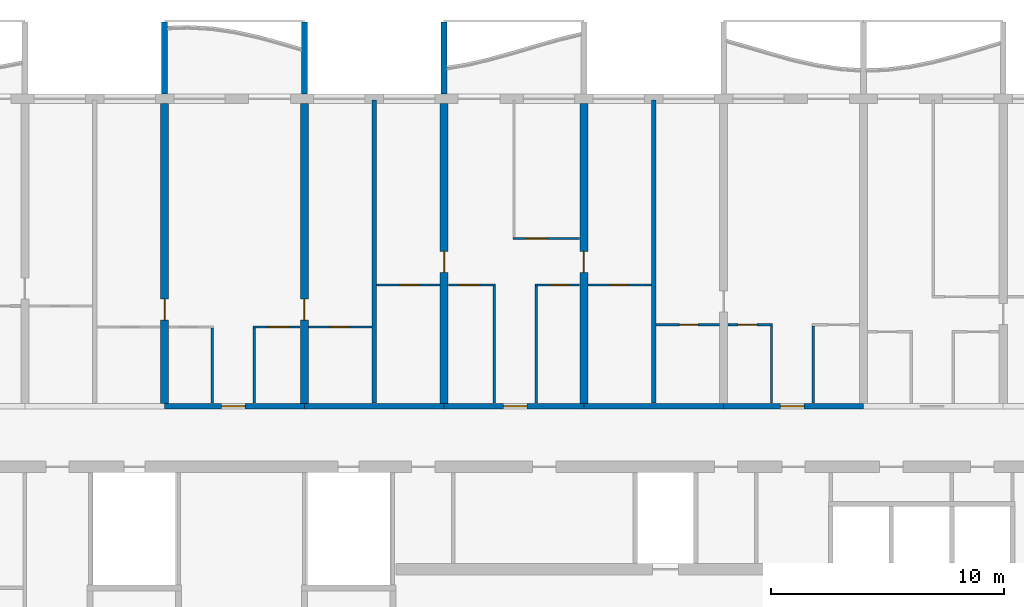
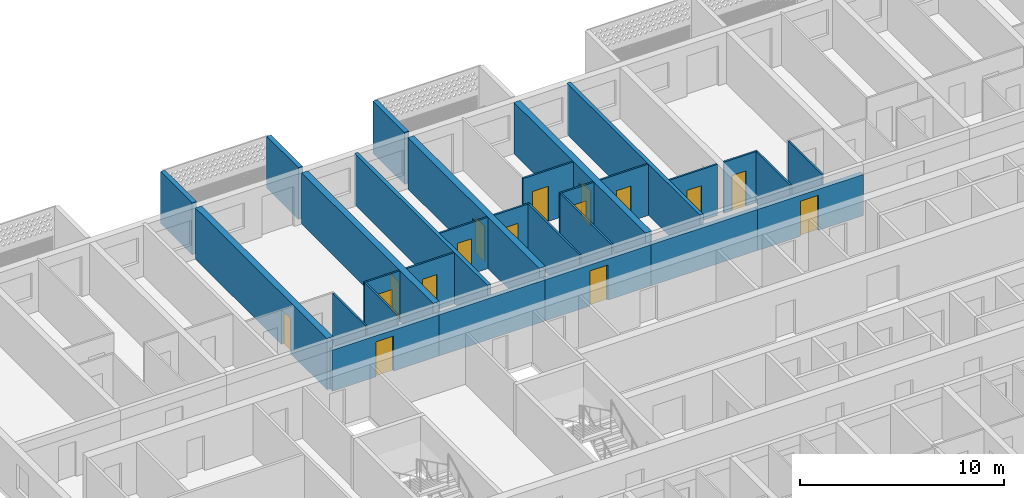
# One storey, part 10 of 26: 29 walls, 16 doors, 16 openings.
"""IFC4 building model written with IfcOpenShell, lengths in metres."""

from ifc_helpers import new_model, si_unit, direction, frame, frame_2d, origin, place, context, subcontext, project, spatial, polyline, rectangle, outline, extrude, source, transform, mapped, material, layer, layer_set, type_object, element, fill, save


model = new_model("IFC4")

# Units and contexts
model_context = context("Model", 3, precision=1e-05, world=origin(), true_north=direction((0.0, 1.0)))
body_context = subcontext(model_context, "Body", "Model", "MODEL_VIEW")
ifc_project = project(units=[si_unit("LENGTHUNIT", "METRE"), si_unit("AREAUNIT", "SQUARE_METRE"), si_unit("VOLUMEUNIT", "CUBIC_METRE"), si_unit("PLANEANGLEUNIT", "RADIAN"), si_unit("MASSUNIT", "GRAM", prefix="KILO")], contexts=[model_context])

# Site, building, storey
site_placement = place(None, origin())
site = spatial("IfcSite", under=ifc_project, at=site_placement, CompositionType="ELEMENT")
building_placement = place(site_placement, origin())
building = spatial("IfcBuilding", under=site, at=building_placement, Name="Poui Terraces", CompositionType="ELEMENT")
storey_placement = place(building_placement, frame((0.0, 0.0, 96.0)))
storey = spatial("IfcBuildingStorey", under=building, at=storey_placement, Name="L26", CompositionType="ELEMENT", Elevation=96.0)

# Wall, opening, door
ifc_material_1 = material(Name="Concrete 65 MPa", Category="concrete")
ifc_layer_1 = layer(ifc_material_1, 0.25)
ifc_layer_set_1 = layer_set([ifc_layer_1], Name="Concrete 65 MPa")
wall_type_1 = type_object("IfcWallType", Name="CORRIDOR WALL 250 65MPa", PredefinedType="SHEAR", material=ifc_layer_set_1)
wall_1_placement = place(storey_placement, frame((24.0, 30.39990234375, 0.0), z_axis=(0.0, 0.0, 1.0), x_axis=(1.0, 0.0, 0.0)))
wall_1 = element("IfcWall", 1, at=wall_1_placement, inside=storey, type_object=wall_type_1, Name="CORRIDOR WALL LINE E BAY 4", PredefinedType="SHEAR", context=body_context, shape_type="SweptSolid", body=[
    extrude(rectangle(XDim=6.0, YDim=0.25, at=frame_2d((3.0, 0.0))), origin(), (0.0, 0.0, 1.0), 2.4599609375),
])
opening_1_placement = place(wall_1_placement, frame((2.449951171875, 0.0, 0.0)))
opening_1 = element("IfcOpeningElement", 2, at=opening_1_placement, cuts=wall_1, Name="Opening FD30S", PredefinedType="OPENING", context=body_context, shape_type="SweptSolid", body=[
    extrude(rectangle(XDim=1.0, YDim=2.10009765625, at=frame_2d((0.5, 1.050048828125))), frame((0.0, 0.135009765625, 0.0), z_axis=(0.0, -1.0, 0.0), x_axis=(1.0, 0.0, 0.0)), (0.0, 0.0, 1.0), 0.27001953125),
])
ifc_material_2 = material(Name="Steel fire door", Category="steel")
door_type_1 = type_object("IfcDoorType", Name="FLAT ENTRANCE DOOR 1000 X 2100", OperationType="NOTDEFINED", PredefinedType="DOOR", material=ifc_material_2)
door_1_placement = place(opening_1_placement, origin())
door_1 = element("IfcDoor", 3, at=door_1_placement, inside=storey, type_object=door_type_1, Name="FLAT ENTRANCE DOOR 042", OperationType="SINGLE_SWING_LEFT", OverallHeight=2.10009765625, OverallWidth=1.0, PredefinedType="DOOR", context=body_context, shape_type="SweptSolid", body=[
    extrude(rectangle(XDim=1.0, YDim=2.10009765625, at=frame_2d((0.5, 1.050048828125))), frame((0.0, 0.02490234375, 0.0), z_axis=(0.0, -1.0, 0.0), x_axis=(1.0, 0.0, 0.0)), (0.0, 0.0, 1.0), 0.050048828125),
])
fill(opening_1, door_1)

# Wall
wall_2_placement = place(storey_placement, frame((30.0, 30.39990234375, 0.0), z_axis=(0.0, 0.0, 1.0), x_axis=(1.0, 0.0, 0.0)))
element("IfcWall", 4, at=wall_2_placement, inside=storey, type_object=wall_type_1, Name="CORRIDOR WALL LINE E BAY 5", PredefinedType="SHEAR", context=body_context, shape_type="SweptSolid", body=[
    extrude(rectangle(XDim=6.0, YDim=0.25, at=frame_2d((3.0, 0.0))), origin(), (0.0, 0.0, 1.0), 2.4599609375),
])

# Wall, opening, door
wall_3_placement = place(storey_placement, frame((36.0, 30.39990234375, 0.0), z_axis=(0.0, 0.0, 1.0), x_axis=(1.0, 0.0, 0.0)))
wall_3 = element("IfcWall", 5, at=wall_3_placement, inside=storey, type_object=wall_type_1, Name="CORRIDOR WALL LINE E BAY 6", PredefinedType="SHEAR", context=body_context, shape_type="SweptSolid", body=[
    extrude(rectangle(XDim=6.0, YDim=0.25, at=frame_2d((3.0, 0.0))), origin(), (0.0, 0.0, 1.0), 2.4599609375),
])
opening_2_placement = place(wall_3_placement, frame((2.550048828125, 0.0, 0.0)))
opening_2 = element("IfcOpeningElement", 6, at=opening_2_placement, cuts=wall_3, Name="Opening FD30S", PredefinedType="OPENING", context=body_context, shape_type="SweptSolid", body=[
    extrude(rectangle(XDim=1.0, YDim=2.10009765625, at=frame_2d((0.5, 1.050048828125))), frame((0.0, 0.135009765625, 0.0), z_axis=(0.0, -1.0, 0.0), x_axis=(1.0, 0.0, 0.0)), (0.0, 0.0, 1.0), 0.27001953125),
])
door_2_placement = place(opening_2_placement, origin())
door_2 = element("IfcDoor", 7, at=door_2_placement, inside=storey, type_object=door_type_1, Name="FLAT ENTRANCE DOOR 049", OperationType="SINGLE_SWING_RIGHT", OverallHeight=2.10009765625, OverallWidth=1.0, PredefinedType="DOOR", context=body_context, shape_type="SweptSolid", body=[
    extrude(rectangle(XDim=1.0, YDim=2.10009765625, at=frame_2d((0.5, 1.050048828125))), frame((0.0, 0.02490234375, 0.0), z_axis=(0.0, -1.0, 0.0), x_axis=(1.0, 0.0, 0.0)), (0.0, 0.0, 1.0), 0.050048828125),
])
fill(opening_2, door_2)

# Wall
wall_4_placement = place(storey_placement, frame((42.0, 30.39990234375, 0.0), z_axis=(0.0, 0.0, 1.0), x_axis=(1.0, 0.0, 0.0)))
element("IfcWall", 8, at=wall_4_placement, inside=storey, type_object=wall_type_1, Name="CORRIDOR WALL LINE E BAY 7", PredefinedType="SHEAR", context=body_context, shape_type="SweptSolid", body=[
    extrude(rectangle(XDim=6.0, YDim=0.25, at=frame_2d((3.0, 0.0))), origin(), (0.0, 0.0, 1.0), 2.4599609375),
])

# Wall, opening, door
wall_5_placement = place(storey_placement, frame((48.0, 30.39990234375, 0.0), z_axis=(0.0, 0.0, 1.0), x_axis=(1.0, 0.0, 0.0)))
wall_5 = element("IfcWall", 9, at=wall_5_placement, inside=storey, type_object=wall_type_1, Name="CORRIDOR WALL LINE E BAY 8", PredefinedType="SHEAR", context=body_context, shape_type="SweptSolid", body=[
    extrude(rectangle(XDim=6.0, YDim=0.25, at=frame_2d((3.0, 0.0))), origin(), (0.0, 0.0, 1.0), 2.4599609375),
])
opening_3_placement = place(wall_5_placement, frame((2.449951171875, 0.0, 0.0)))
opening_3 = element("IfcOpeningElement", 10, at=opening_3_placement, cuts=wall_5, Name="Opening FD30S", PredefinedType="OPENING", context=body_context, shape_type="SweptSolid", body=[
    extrude(rectangle(XDim=1.0, YDim=2.10009765625, at=frame_2d((0.5, 1.050048828125))), frame((0.0, 0.135009765625, 0.0), z_axis=(0.0, -1.0, 0.0), x_axis=(1.0, 0.0, 0.0)), (0.0, 0.0, 1.0), 0.27001953125),
])
door_3_placement = place(opening_3_placement, origin())
door_3 = element("IfcDoor", 11, at=door_3_placement, inside=storey, type_object=door_type_1, Name="FLAT ENTRANCE DOOR 056", OperationType="SINGLE_SWING_LEFT", OverallHeight=2.10009765625, OverallWidth=1.0, PredefinedType="DOOR", context=body_context, shape_type="SweptSolid", body=[
    extrude(rectangle(XDim=1.0, YDim=2.10009765625, at=frame_2d((0.5, 1.050048828125))), frame((0.0, 0.02490234375, 0.0), z_axis=(0.0, -1.0, 0.0), x_axis=(1.0, 0.0, 0.0)), (0.0, 0.0, 1.0), 0.050048828125),
])
fill(opening_3, door_3)

ifc_layer_2 = layer(ifc_material_1, 0.35009765625)
ifc_layer_set_2 = layer_set([ifc_layer_2], Name="Concrete 65 MPa")
wall_type_2 = type_object("IfcWallType", Name="CROSS WALL 350 65MPa", PredefinedType="SHEAR", material=ifc_layer_set_2)
wall_6_placement = place(storey_placement, frame((24.0, 30.52490234375, 0.0), z_axis=(0.0, 0.0, 1.0), x_axis=(0.0, 1.0, 0.0)))
wall_6 = element("IfcWall", 12, at=wall_6_placement, inside=storey, type_object=wall_type_2, Name="CROSS WALL LINE 5 NORTH", PredefinedType="SHEAR", context=body_context, shape_type="SweptSolid", body=[
    extrude(rectangle(XDim=12.875, YDim=0.35009765625, at=frame_2d((6.4375, 0.0))), origin(), (0.0, 0.0, 1.0), 3.06005859375),
])
opening_4_placement = place(wall_6_placement, frame((3.574951171875, 0.0, 0.0)))
opening_4 = element("IfcOpeningElement", 13, at=opening_4_placement, cuts=wall_6, Name="Opening D90", PredefinedType="OPENING", context=body_context, shape_type="SweptSolid", body=[
    extrude(rectangle(XDim=0.89990234375, YDim=2.10009765625, at=frame_2d((0.449951171875, 1.050048828125))), frame((0.0, 0.18505859375, 0.0), z_axis=(0.0, -1.0, 0.0), x_axis=(1.0, 0.0, 0.0)), (0.0, 0.0, 1.0), 0.3701171875),
])
ifc_material_3 = material(Name="Solid core timber door", Category="wood")
door_type_2 = type_object("IfcDoorType", Name="INTERNAL DOOR 900 X 2100", OperationType="NOTDEFINED", PredefinedType="DOOR", material=ifc_material_3)
door_4_placement = place(opening_4_placement, origin())
door_4 = element("IfcDoor", 14, at=door_4_placement, inside=storey, type_object=door_type_2, Name="INTERNAL DOOR 040", OperationType="SINGLE_SWING_LEFT", OverallHeight=2.10009765625, OverallWidth=0.89990234375, PredefinedType="DOOR", context=body_context, shape_type="SweptSolid", body=[
    extrude(rectangle(XDim=0.89990234375, YDim=2.10009765625, at=frame_2d((0.449951171875, 1.050048828125))), frame((0.0, 0.02490234375, 0.0), z_axis=(0.0, -1.0, 0.0), x_axis=(1.0, 0.0, 0.0)), (0.0, 0.0, 1.0), 0.050048828125),
])
fill(opening_4, door_4)

wall_7_placement = place(storey_placement, frame((30.0, 30.52490234375, 0.0), z_axis=(0.0, 0.0, 1.0), x_axis=(0.0, 1.0, 0.0)))
wall_7 = element("IfcWall", 15, at=wall_7_placement, inside=storey, type_object=wall_type_2, Name="CROSS WALL LINE 6 NORTH", PredefinedType="SHEAR", context=body_context, shape_type="SweptSolid", body=[
    extrude(rectangle(XDim=12.875, YDim=0.35009765625, at=frame_2d((6.4375, 0.0))), origin(), (0.0, 0.0, 1.0), 3.06005859375),
])
opening_5_placement = place(wall_7_placement, frame((3.574951171875, 0.0, 0.0)))
opening_5 = element("IfcOpeningElement", 16, at=opening_5_placement, cuts=wall_7, Name="Opening D90", PredefinedType="OPENING", context=body_context, shape_type="SweptSolid", body=[
    extrude(rectangle(XDim=0.89990234375, YDim=2.10009765625, at=frame_2d((0.449951171875, 1.050048828125))), frame((0.0, 0.18505859375, 0.0), z_axis=(0.0, -1.0, 0.0), x_axis=(1.0, 0.0, 0.0)), (0.0, 0.0, 1.0), 0.3701171875),
])
door_5_placement = place(opening_5_placement, frame((0.89990234375, 0.0, 0.0), z_axis=(0.0, 0.0, 1.0), x_axis=(-1.0, 0.0, 0.0)))
door_5 = element("IfcDoor", 17, at=door_5_placement, inside=storey, type_object=door_type_2, Name="INTERNAL DOOR 044", OperationType="SINGLE_SWING_RIGHT", OverallHeight=2.10009765625, OverallWidth=0.89990234375, PredefinedType="DOOR", context=body_context, shape_type="SweptSolid", body=[
    extrude(rectangle(XDim=0.89990234375, YDim=2.10009765625, at=frame_2d((0.449951171875, 1.050048828125))), frame((0.0, 0.02490234375, 0.0), z_axis=(0.0, -1.0, 0.0), x_axis=(1.0, 0.0, 0.0)), (0.0, 0.0, 1.0), 0.050048828125),
])
fill(opening_5, door_5)

wall_8_placement = place(storey_placement, frame((36.0, 30.52490234375, 0.0), z_axis=(0.0, 0.0, 1.0), x_axis=(0.0, 1.0, 0.0)))
wall_8 = element("IfcWall", 18, at=wall_8_placement, inside=storey, type_object=wall_type_2, Name="CROSS WALL LINE 7 NORTH", PredefinedType="SHEAR", context=body_context, shape_type="SweptSolid", body=[
    extrude(rectangle(XDim=12.875, YDim=0.35009765625, at=frame_2d((6.4375, 0.0))), origin(), (0.0, 0.0, 1.0), 3.06005859375),
])
opening_6_placement = place(wall_8_placement, frame((5.625, 0.0, 0.0)))
opening_6 = element("IfcOpeningElement", 19, at=opening_6_placement, cuts=wall_8, Name="Opening D90", PredefinedType="OPENING", context=body_context, shape_type="SweptSolid", body=[
    extrude(rectangle(XDim=0.89990234375, YDim=2.10009765625, at=frame_2d((0.449951171875, 1.050048828125))), frame((0.0, 0.18505859375, 0.0), z_axis=(0.0, -1.0, 0.0), x_axis=(1.0, 0.0, 0.0)), (0.0, 0.0, 1.0), 0.3701171875),
])
door_6_placement = place(opening_6_placement, origin())
door_6 = element("IfcDoor", 20, at=door_6_placement, inside=storey, type_object=door_type_2, Name="INTERNAL DOOR 047", OperationType="SINGLE_SWING_LEFT", OverallHeight=2.10009765625, OverallWidth=0.89990234375, PredefinedType="DOOR", context=body_context, shape_type="SweptSolid", body=[
    extrude(rectangle(XDim=0.89990234375, YDim=2.10009765625, at=frame_2d((0.449951171875, 1.050048828125))), frame((0.0, 0.02490234375, 0.0), z_axis=(0.0, -1.0, 0.0), x_axis=(1.0, 0.0, 0.0)), (0.0, 0.0, 1.0), 0.050048828125),
])
fill(opening_6, door_6)

wall_9_placement = place(storey_placement, frame((42.0, 30.52490234375, 0.0), z_axis=(0.0, 0.0, 1.0), x_axis=(0.0, 1.0, 0.0)))
wall_9 = element("IfcWall", 21, at=wall_9_placement, inside=storey, type_object=wall_type_2, Name="CROSS WALL LINE 8 NORTH", PredefinedType="SHEAR", context=body_context, shape_type="SweptSolid", body=[
    extrude(rectangle(XDim=12.875, YDim=0.35009765625, at=frame_2d((6.4375, 0.0))), origin(), (0.0, 0.0, 1.0), 3.06005859375),
])
opening_7_placement = place(wall_9_placement, frame((5.625, 0.0, 0.0)))
opening_7 = element("IfcOpeningElement", 22, at=opening_7_placement, cuts=wall_9, Name="Opening D90", PredefinedType="OPENING", context=body_context, shape_type="SweptSolid", body=[
    extrude(rectangle(XDim=0.89990234375, YDim=2.10009765625, at=frame_2d((0.449951171875, 1.050048828125))), frame((0.0, 0.18505859375, 0.0), z_axis=(0.0, -1.0, 0.0), x_axis=(1.0, 0.0, 0.0)), (0.0, 0.0, 1.0), 0.3701171875),
])
door_7_placement = place(opening_7_placement, frame((0.89990234375, 0.0, 0.0), z_axis=(0.0, 0.0, 1.0), x_axis=(-1.0, 0.0, 0.0)))
door_7 = element("IfcDoor", 23, at=door_7_placement, inside=storey, type_object=door_type_2, Name="INTERNAL DOOR 052", OperationType="SINGLE_SWING_RIGHT", OverallHeight=2.10009765625, OverallWidth=0.89990234375, PredefinedType="DOOR", context=body_context, shape_type="SweptSolid", body=[
    extrude(rectangle(XDim=0.89990234375, YDim=2.10009765625, at=frame_2d((0.449951171875, 1.050048828125))), frame((0.0, 0.02490234375, 0.0), z_axis=(0.0, -1.0, 0.0), x_axis=(1.0, 0.0, 0.0)), (0.0, 0.0, 1.0), 0.050048828125),
])
fill(opening_7, door_7)

ifc_material_4 = material(Name="Plasterboard partition")
ifc_layer_3 = layer(ifc_material_4, 0.10009765625)
ifc_layer_set_3 = layer_set([ifc_layer_3], Name="Plasterboard partition")
wall_type_3 = type_object("IfcWallType", Name="FLAT PARTITION 100", PredefinedType="PARTITIONING", material=ifc_layer_set_3)
wall_10_placement = place(storey_placement, frame((27.800048828125, 33.800048828125, 0.0), z_axis=(0.0, 0.0, 1.0), x_axis=(1.0, 0.0, 0.0)))
wall_10 = element("IfcWall", 24, at=wall_10_placement, inside=storey, type_object=wall_type_3, Name="FLAT PARTITION 100", PredefinedType="PARTITIONING", context=body_context, shape_type="SweptSolid", body=[
    extrude(rectangle(XDim=2.014892578125, YDim=0.10009765625, at=frame_2d((1.00732421875, 0.0))), origin(), (0.0, 0.0, 1.0), 3.06005859375),
])
opening_8_placement = place(wall_10_placement, frame((0.675048828125, 0.0, 0.0)))
opening_8 = element("IfcOpeningElement", 25, at=opening_8_placement, cuts=wall_10, Name="Opening D90", PredefinedType="OPENING", context=body_context, shape_type="SweptSolid", body=[
    extrude(rectangle(XDim=0.89990234375, YDim=2.10009765625, at=frame_2d((0.449951171875, 1.050048828125))), frame((0.0, 0.06005859375, 0.0), z_axis=(0.0, -1.0, 0.0), x_axis=(1.0, 0.0, 0.0)), (0.0, 0.0, 1.0), 0.1201171875),
])
door_8_placement = place(opening_8_placement, frame((0.89990234375, 0.0, 0.0), z_axis=(0.0, 0.0, 1.0), x_axis=(-1.0, 0.0, 0.0)))
door_8 = element("IfcDoor", 26, at=door_8_placement, inside=storey, type_object=door_type_2, Name="INTERNAL DOOR 043", OperationType="SINGLE_SWING_RIGHT", OverallHeight=2.10009765625, OverallWidth=0.89990234375, PredefinedType="DOOR", context=body_context, shape_type="SweptSolid", body=[
    extrude(rectangle(XDim=0.89990234375, YDim=2.10009765625, at=frame_2d((0.449951171875, 1.050048828125))), frame((0.0, 0.02490234375, 0.0), z_axis=(0.0, -1.0, 0.0), x_axis=(1.0, 0.0, 0.0)), (0.0, 0.0, 1.0), 0.050048828125),
])
fill(opening_8, door_8)

wall_11_placement = place(storey_placement, frame((30.18505859375, 33.800048828125, 0.0), z_axis=(0.0, 0.0, 1.0), x_axis=(1.0, 0.0, 0.0)))
wall_11 = element("IfcWall", 27, at=wall_11_placement, inside=storey, type_object=wall_type_3, Name="FLAT PARTITION 100", PredefinedType="PARTITIONING", context=body_context, shape_type="SweptSolid", body=[
    extrude(rectangle(XDim=2.71484375, YDim=0.10009765625, at=frame_2d((1.357421875, 0.0))), origin(), (0.0, 0.0, 1.0), 3.06005859375),
])
opening_9_placement = place(wall_11_placement, frame((0.9150390625, 0.0, 0.0)))
opening_9 = element("IfcOpeningElement", 28, at=opening_9_placement, cuts=wall_11, Name="Opening D80", PredefinedType="OPENING", context=body_context, shape_type="SweptSolid", body=[
    extrude(rectangle(XDim=0.800048828125, YDim=2.10009765625, at=frame_2d((0.39990234375, 1.050048828125))), frame((0.0, 0.06005859375, 0.0), z_axis=(0.0, -1.0, 0.0), x_axis=(1.0, 0.0, 0.0)), (0.0, 0.0, 1.0), 0.1201171875),
])
door_type_3 = type_object("IfcDoorType", Name="BATHROOM, LAUNDRY AND STORE DOOR 800 X 2100", OperationType="NOTDEFINED", PredefinedType="DOOR", material=ifc_material_3)
door_9_placement = place(opening_9_placement, frame((0.800048828125, 0.0, 0.0), z_axis=(0.0, 0.0, 1.0), x_axis=(-1.0, 0.0, 0.0)))
door_9 = element("IfcDoor", 29, at=door_9_placement, inside=storey, type_object=door_type_3, Name="BATHROOM, LAUNDRY AND STORE DOOR 039", OperationType="SINGLE_SWING_RIGHT", OverallHeight=2.10009765625, OverallWidth=0.800048828125, PredefinedType="DOOR", context=body_context, shape_type="SweptSolid", body=[
    extrude(rectangle(XDim=0.800048828125, YDim=2.10009765625, at=frame_2d((0.39990234375, 1.050048828125))), frame((0.0, 0.02490234375, 0.0), z_axis=(0.0, -1.0, 0.0), x_axis=(1.0, 0.0, 0.0)), (0.0, 0.0, 1.0), 0.050048828125),
])
fill(opening_9, door_9)

wall_12_placement = place(storey_placement, frame((45.10009765625, 33.89990234375, 0.0), z_axis=(0.0, 0.0, 1.0), x_axis=(1.0, 0.0, 0.0)))
wall_12 = element("IfcWall", 30, at=wall_12_placement, inside=storey, type_object=wall_type_3, Name="FLAT PARTITION 100", PredefinedType="PARTITIONING", context=body_context, shape_type="SweptSolid", body=[
    extrude(rectangle(XDim=2.71484375, YDim=0.10009765625, at=frame_2d((1.357421875, 0.0))), origin(), (0.0, 0.0, 1.0), 3.06005859375),
])
opening_10_placement = place(wall_12_placement, frame((1.0, 0.0, 0.0)))
opening_10 = element("IfcOpeningElement", 31, at=opening_10_placement, cuts=wall_12, Name="Opening D80", PredefinedType="OPENING", context=body_context, shape_type="SweptSolid", body=[
    extrude(rectangle(XDim=0.800048828125, YDim=2.10009765625, at=frame_2d((0.39990234375, 1.050048828125))), frame((0.0, 0.06005859375, 0.0), z_axis=(0.0, -1.0, 0.0), x_axis=(1.0, 0.0, 0.0)), (0.0, 0.0, 1.0), 0.1201171875),
])
door_10_placement = place(opening_10_placement, frame((0.800048828125, 0.0, 0.0), z_axis=(0.0, 0.0, 1.0), x_axis=(-1.0, 0.0, 0.0)))
door_10 = element("IfcDoor", 32, at=door_10_placement, inside=storey, type_object=door_type_3, Name="BATHROOM, LAUNDRY AND STORE DOOR 053", OperationType="SINGLE_SWING_RIGHT", OverallHeight=2.10009765625, OverallWidth=0.800048828125, PredefinedType="DOOR", context=body_context, shape_type="SweptSolid", body=[
    extrude(rectangle(XDim=0.800048828125, YDim=2.10009765625, at=frame_2d((0.39990234375, 1.050048828125))), frame((0.0, 0.02490234375, 0.0), z_axis=(0.0, -1.0, 0.0), x_axis=(1.0, 0.0, 0.0)), (0.0, 0.0, 1.0), 0.050048828125),
])
fill(opening_10, door_10)

wall_13_placement = place(storey_placement, frame((48.18505859375, 33.89990234375, 0.0), z_axis=(0.0, 0.0, 1.0), x_axis=(1.0, 0.0, 0.0)))
wall_13 = element("IfcWall", 33, at=wall_13_placement, inside=storey, type_object=wall_type_3, Name="FLAT PARTITION 100", PredefinedType="PARTITIONING", context=body_context, shape_type="SweptSolid", body=[
    extrude(rectangle(XDim=1.9150390625, YDim=0.10009765625, at=frame_2d((0.95751953125, 0.0))), origin(), (0.0, 0.0, 1.0), 3.06005859375),
])
opening_11_placement = place(wall_13_placement, frame((0.43994140625, 0.0, 0.0)))
opening_11 = element("IfcOpeningElement", 34, at=opening_11_placement, cuts=wall_13, Name="Opening D80", PredefinedType="OPENING", context=body_context, shape_type="SweptSolid", body=[
    extrude(rectangle(XDim=0.800048828125, YDim=2.10009765625, at=frame_2d((0.39990234375, 1.050048828125))), frame((0.0, 0.06005859375, 0.0), z_axis=(0.0, -1.0, 0.0), x_axis=(1.0, 0.0, 0.0)), (0.0, 0.0, 1.0), 0.1201171875),
])
door_11_placement = place(opening_11_placement, frame((0.800048828125, 0.0, 0.0), z_axis=(0.0, 0.0, 1.0), x_axis=(-1.0, 0.0, 0.0)))
door_11 = element("IfcDoor", 35, at=door_11_placement, inside=storey, type_object=door_type_3, Name="BATHROOM, LAUNDRY AND STORE DOOR 055", OperationType="SINGLE_SWING_LEFT", OverallHeight=2.10009765625, OverallWidth=0.800048828125, PredefinedType="DOOR", context=body_context, shape_type="SweptSolid", body=[
    extrude(rectangle(XDim=0.800048828125, YDim=2.10009765625, at=frame_2d((0.39990234375, 1.050048828125))), frame((0.0, 0.02490234375, 0.0), z_axis=(0.0, -1.0, 0.0), x_axis=(1.0, 0.0, 0.0)), (0.0, 0.0, 1.0), 0.050048828125),
])
fill(opening_11, door_11)

wall_14_placement = place(storey_placement, frame((33.10009765625, 35.60009765625, 0.0), z_axis=(0.0, 0.0, 1.0), x_axis=(1.0, 0.0, 0.0)))
wall_14 = element("IfcWall", 36, at=wall_14_placement, inside=storey, type_object=wall_type_3, Name="FLAT PARTITION 100", PredefinedType="PARTITIONING", context=body_context, shape_type="SweptSolid", body=[
    extrude(rectangle(XDim=2.71484375, YDim=0.10009765625, at=frame_2d((1.357421875, 0.0))), origin(), (0.0, 0.0, 1.0), 3.06005859375),
])
opening_12_placement = place(wall_14_placement, frame((1.0, 0.0, 0.0)))
opening_12 = element("IfcOpeningElement", 37, at=opening_12_placement, cuts=wall_14, Name="Opening D80", PredefinedType="OPENING", context=body_context, shape_type="SweptSolid", body=[
    extrude(rectangle(XDim=0.800048828125, YDim=2.10009765625, at=frame_2d((0.39990234375, 1.050048828125))), frame((0.0, 0.06005859375, 0.0), z_axis=(0.0, -1.0, 0.0), x_axis=(1.0, 0.0, 0.0)), (0.0, 0.0, 1.0), 0.1201171875),
])
door_12_placement = place(opening_12_placement, frame((0.800048828125, 0.0, 0.0), z_axis=(0.0, 0.0, 1.0), x_axis=(-1.0, 0.0, 0.0)))
door_12 = element("IfcDoor", 38, at=door_12_placement, inside=storey, type_object=door_type_3, Name="BATHROOM, LAUNDRY AND STORE DOOR 045", OperationType="SINGLE_SWING_LEFT", OverallHeight=2.10009765625, OverallWidth=0.800048828125, PredefinedType="DOOR", context=body_context, shape_type="SweptSolid", body=[
    extrude(rectangle(XDim=0.800048828125, YDim=2.10009765625, at=frame_2d((0.39990234375, 1.050048828125))), frame((0.0, 0.02490234375, 0.0), z_axis=(0.0, -1.0, 0.0), x_axis=(1.0, 0.0, 0.0)), (0.0, 0.0, 1.0), 0.050048828125),
])
fill(opening_12, door_12)

wall_15_placement = place(storey_placement, frame((36.18505859375, 35.60009765625, 0.0), z_axis=(0.0, 0.0, 1.0), x_axis=(1.0, 0.0, 0.0)))
wall_15 = element("IfcWall", 39, at=wall_15_placement, inside=storey, type_object=wall_type_3, Name="FLAT PARTITION 100", PredefinedType="PARTITIONING", context=body_context, shape_type="SweptSolid", body=[
    extrude(rectangle(XDim=2.014892578125, YDim=0.10009765625, at=frame_2d((1.00732421875, 0.0))), origin(), (0.0, 0.0, 1.0), 3.06005859375),
])
opening_13_placement = place(wall_15_placement, frame((0.43994140625, 0.0, 0.0)))
opening_13 = element("IfcOpeningElement", 40, at=opening_13_placement, cuts=wall_15, Name="Opening D90", PredefinedType="OPENING", context=body_context, shape_type="SweptSolid", body=[
    extrude(rectangle(XDim=0.89990234375, YDim=2.10009765625, at=frame_2d((0.449951171875, 1.050048828125))), frame((0.0, 0.06005859375, 0.0), z_axis=(0.0, -1.0, 0.0), x_axis=(1.0, 0.0, 0.0)), (0.0, 0.0, 1.0), 0.1201171875),
])
door_13_placement = place(opening_13_placement, frame((0.89990234375, 0.0, 0.0), z_axis=(0.0, 0.0, 1.0), x_axis=(-1.0, 0.0, 0.0)))
door_13 = element("IfcDoor", 41, at=door_13_placement, inside=storey, type_object=door_type_2, Name="INTERNAL DOOR 048", OperationType="SINGLE_SWING_LEFT", OverallHeight=2.10009765625, OverallWidth=0.89990234375, PredefinedType="DOOR", context=body_context, shape_type="SweptSolid", body=[
    extrude(rectangle(XDim=0.89990234375, YDim=2.10009765625, at=frame_2d((0.449951171875, 1.050048828125))), frame((0.0, 0.02490234375, 0.0), z_axis=(0.0, -1.0, 0.0), x_axis=(1.0, 0.0, 0.0)), (0.0, 0.0, 1.0), 0.050048828125),
])
fill(opening_13, door_13)

wall_16_placement = place(storey_placement, frame((39.89990234375, 35.60009765625, 0.0), z_axis=(0.0, 0.0, 1.0), x_axis=(1.0, 0.0, 0.0)))
wall_16 = element("IfcWall", 42, at=wall_16_placement, inside=storey, type_object=wall_type_3, Name="FLAT PARTITION 100", PredefinedType="PARTITIONING", context=body_context, shape_type="SweptSolid", body=[
    extrude(rectangle(XDim=1.9150390625, YDim=0.10009765625, at=frame_2d((0.95751953125, 0.0))), origin(), (0.0, 0.0, 1.0), 3.06005859375),
])
opening_14_placement = place(wall_16_placement, frame((0.675048828125, 0.0, 0.0)))
opening_14 = element("IfcOpeningElement", 43, at=opening_14_placement, cuts=wall_16, Name="Opening D80", PredefinedType="OPENING", context=body_context, shape_type="SweptSolid", body=[
    extrude(rectangle(XDim=0.800048828125, YDim=2.10009765625, at=frame_2d((0.39990234375, 1.050048828125))), frame((0.0, 0.06005859375, 0.0), z_axis=(0.0, -1.0, 0.0), x_axis=(1.0, 0.0, 0.0)), (0.0, 0.0, 1.0), 0.1201171875),
])
door_14_placement = place(opening_14_placement, frame((0.800048828125, 0.0, 0.0), z_axis=(0.0, 0.0, 1.0), x_axis=(-1.0, 0.0, 0.0)))
door_14 = element("IfcDoor", 44, at=door_14_placement, inside=storey, type_object=door_type_3, Name="BATHROOM, LAUNDRY AND STORE DOOR 051", OperationType="SINGLE_SWING_RIGHT", OverallHeight=2.10009765625, OverallWidth=0.800048828125, PredefinedType="DOOR", context=body_context, shape_type="SweptSolid", body=[
    extrude(rectangle(XDim=0.800048828125, YDim=2.10009765625, at=frame_2d((0.39990234375, 1.050048828125))), frame((0.0, 0.02490234375, 0.0), z_axis=(0.0, -1.0, 0.0), x_axis=(1.0, 0.0, 0.0)), (0.0, 0.0, 1.0), 0.050048828125),
])
fill(opening_14, door_14)

wall_17_placement = place(storey_placement, frame((42.18505859375, 35.60009765625, 0.0), z_axis=(0.0, 0.0, 1.0), x_axis=(1.0, 0.0, 0.0)))
wall_17 = element("IfcWall", 45, at=wall_17_placement, inside=storey, type_object=wall_type_3, Name="FLAT PARTITION 100", PredefinedType="PARTITIONING", context=body_context, shape_type="SweptSolid", body=[
    extrude(rectangle(XDim=2.71484375, YDim=0.10009765625, at=frame_2d((1.357421875, 0.0))), origin(), (0.0, 0.0, 1.0), 3.06005859375),
])
opening_15_placement = place(wall_17_placement, frame((0.9150390625, 0.0, 0.0)))
opening_15 = element("IfcOpeningElement", 46, at=opening_15_placement, cuts=wall_17, Name="Opening D80", PredefinedType="OPENING", context=body_context, shape_type="SweptSolid", body=[
    extrude(rectangle(XDim=0.800048828125, YDim=2.10009765625, at=frame_2d((0.39990234375, 1.050048828125))), frame((0.0, 0.06005859375, 0.0), z_axis=(0.0, -1.0, 0.0), x_axis=(1.0, 0.0, 0.0)), (0.0, 0.0, 1.0), 0.1201171875),
])
door_15_placement = place(opening_15_placement, frame((0.800048828125, 0.0, 0.0), z_axis=(0.0, 0.0, 1.0), x_axis=(-1.0, 0.0, 0.0)))
door_15 = element("IfcDoor", 47, at=door_15_placement, inside=storey, type_object=door_type_3, Name="BATHROOM, LAUNDRY AND STORE DOOR 046", OperationType="SINGLE_SWING_LEFT", OverallHeight=2.10009765625, OverallWidth=0.800048828125, PredefinedType="DOOR", context=body_context, shape_type="SweptSolid", body=[
    extrude(rectangle(XDim=0.800048828125, YDim=2.10009765625, at=frame_2d((0.39990234375, 1.050048828125))), frame((0.0, 0.02490234375, 0.0), z_axis=(0.0, -1.0, 0.0), x_axis=(1.0, 0.0, 0.0)), (0.0, 0.0, 1.0), 0.050048828125),
])
fill(opening_15, door_15)

wall_18_placement = place(storey_placement, frame((38.949951171875, 37.60009765625, 0.0), z_axis=(0.0, 0.0, 1.0), x_axis=(1.0, 0.0, 0.0)))
wall_18 = element("IfcWall", 48, at=wall_18_placement, inside=storey, type_object=wall_type_3, Name="FLAT PARTITION 100", PredefinedType="PARTITIONING", context=body_context, shape_type="SweptSolid", body=[
    extrude(rectangle(XDim=2.864990234375, YDim=0.10009765625, at=frame_2d((1.4326171875, 0.0))), origin(), (0.0, 0.0, 1.0), 3.06005859375),
])
opening_16_placement = place(wall_18_placement, frame((0.550048828125, 0.0, 0.0)))
opening_16 = element("IfcOpeningElement", 49, at=opening_16_placement, cuts=wall_18, Name="Opening D90", PredefinedType="OPENING", context=body_context, shape_type="SweptSolid", body=[
    extrude(rectangle(XDim=0.89990234375, YDim=2.10009765625, at=frame_2d((0.449951171875, 1.050048828125))), frame((0.0, 0.06005859375, 0.0), z_axis=(0.0, -1.0, 0.0), x_axis=(1.0, 0.0, 0.0)), (0.0, 0.0, 1.0), 0.1201171875),
])
door_16_placement = place(opening_16_placement, origin())
door_16 = element("IfcDoor", 50, at=door_16_placement, inside=storey, type_object=door_type_2, Name="INTERNAL DOOR 050", OperationType="SINGLE_SWING_LEFT", OverallHeight=2.10009765625, OverallWidth=0.89990234375, PredefinedType="DOOR", context=body_context, shape_type="SweptSolid", body=[
    extrude(rectangle(XDim=0.89990234375, YDim=2.10009765625, at=frame_2d((0.449951171875, 1.050048828125))), frame((0.0, 0.02490234375, 0.0), z_axis=(0.0, -1.0, 0.0), x_axis=(1.0, 0.0, 0.0)), (0.0, 0.0, 1.0), 0.050048828125),
])
fill(opening_16, door_16)

# Walls
for number, where, z_axis, x_axis, name in (
    (51, (26.050048828125, 30.534912109375, 0.0), (0.0, 0.0, 1.0), (0.0, 1.0, 0.0), "FLAT PARTITION 100"),
    (52, (27.85009765625, 30.534912109375, 0.0), (0.0, 0.0, 1.0), (0.0, 1.0, 0.0), "FLAT PARTITION 100"),
):
    element("IfcWall", number, at=place(storey_placement, frame(where, z_axis=z_axis, x_axis=x_axis)), inside=storey, type_object=wall_type_3, Name=name, PredefinedType="PARTITIONING", context=body_context, shape_type="SweptSolid", body=[
        extrude(rectangle(XDim=3.215087890625, YDim=0.10009765625, at=frame_2d((1.607421875, 0.0))), origin(), (0.0, 0.0, 1.0), 3.06005859375),
    ])
for number, where, z_axis, x_axis, name in (
    (53, (38.14990234375, 30.534912109375, 0.0), (0.0, 0.0, 1.0), (0.0, 1.0, 0.0), "FLAT PARTITION 100"),
    (54, (39.949951171875, 30.534912109375, 0.0), (0.0, 0.0, 1.0), (0.0, 1.0, 0.0), "FLAT PARTITION 100"),
):
    element("IfcWall", number, at=place(storey_placement, frame(where, z_axis=z_axis, x_axis=x_axis)), inside=storey, type_object=wall_type_3, Name=name, PredefinedType="PARTITIONING", context=body_context, shape_type="SweptSolid", body=[
        extrude(rectangle(XDim=5.01513671875, YDim=0.10009765625, at=frame_2d((2.507568359375, 0.0))), origin(), (0.0, 0.0, 1.0), 3.06005859375),
    ])
for number, where, z_axis, x_axis, name in (
    (55, (50.050048828125, 30.534912109375, 0.0), (0.0, 0.0, 1.0), (0.0, 1.0, 0.0), "FLAT PARTITION 100"),
    (56, (51.85009765625, 30.534912109375, 0.0), (0.0, 0.0, 1.0), (0.0, 1.0, 0.0), "FLAT PARTITION 100"),
):
    element("IfcWall", number, at=place(storey_placement, frame(where, z_axis=z_axis, x_axis=x_axis)), inside=storey, type_object=wall_type_3, Name=name, PredefinedType="PARTITIONING", context=body_context, shape_type="SweptSolid", body=[
        extrude(rectangle(XDim=3.315185546875, YDim=0.10009765625, at=frame_2d((1.65771484375, 0.0))), origin(), (0.0, 0.0, 1.0), 3.06005859375),
    ])
ifc_material_5 = material(Name="Fire-rated masonry wall", Category="masonry")
ifc_layer_4 = layer(ifc_material_5, 0.199951171875)
ifc_layer_set_4 = layer_set([ifc_layer_4], Name="Fire-rated masonry wall")
wall_type_4 = type_object("IfcWallType", Name="FLAT PARTY WALL 200", PredefinedType="PARTITIONING", material=ifc_layer_set_4)
for number, where, z_axis, x_axis, name in (
    (57, (33.0, 30.534912109375, 0.0), (0.0, 0.0, 1.0), (0.0, 1.0, 0.0), "FLAT PARTY WALL 200"),
    (58, (45.0, 30.534912109375, 0.0), (0.0, 0.0, 1.0), (0.0, 1.0, 0.0), "FLAT PARTY WALL 200"),
):
    element("IfcWall", number, at=place(storey_placement, frame(where, z_axis=z_axis, x_axis=x_axis)), inside=storey, type_object=wall_type_4, Name=name, PredefinedType="PARTITIONING", context=body_context, shape_type="SweptSolid", body=[
        extrude(rectangle(XDim=13.005126953125, YDim=0.199951171875, at=frame_2d((6.50244140625, 0.0))), origin(), (0.0, 0.0, 1.0), 3.06005859375),
    ])
ifc_material_6 = material(Name="Precast concrete 40 MPa", Category="concrete")
ifc_layer_5 = layer(ifc_material_6, 0.25)
ifc_layer_set_5 = layer_set([ifc_layer_5], Name="Precast concrete 40 MPa")
wall_type_5 = type_object("IfcWallType", Name="BALCONY FIN 250", PredefinedType="STANDARD", material=ifc_layer_set_5)
shared_shape = source(origin(), body_context, "Body", "SweptSolid", [
    extrude(outline(polyline([(0.0, 0.0), (0.25, 0.0), (0.25, 3.099853515625), (0.0, 3.099853515625), (0.0, 0.0)])), origin(), (0.0, 0.0, 1.0), 3.10009765625),
])
for number, where, name in (
    (59, (23.875, 43.800048828125, 0.0), "BALCONY FIN"),
    (60, (29.875, 43.800048828125, 0.0), "BALCONY FIN"),
    (61, (35.875, 43.800048828125, 0.0), "BALCONY FIN"),
):
    element("IfcWall", number, at=place(storey_placement, frame(where)), inside=storey, type_object=wall_type_5, Name=name, PredefinedType="STANDARD", context=body_context, shape_type="MappedRepresentation", body=[
        mapped(shared_shape, transform((0.0, 0.0, 0.0))),
    ])

save(model, "model.ifc")
